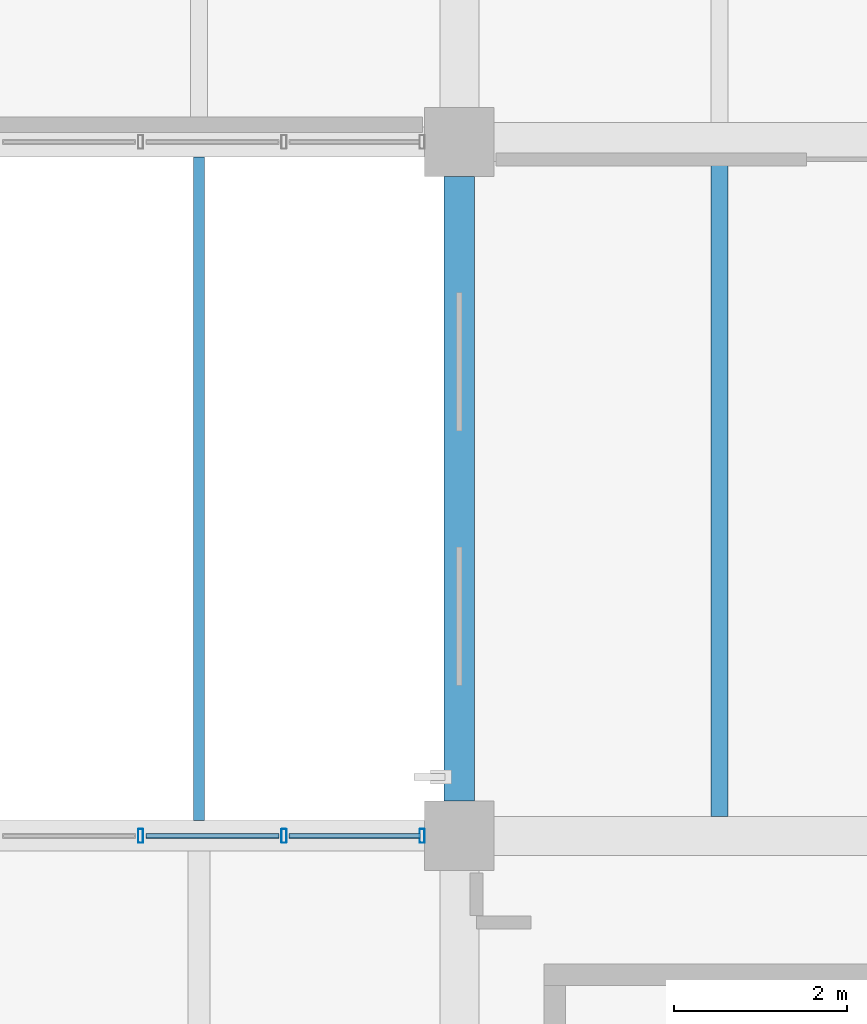
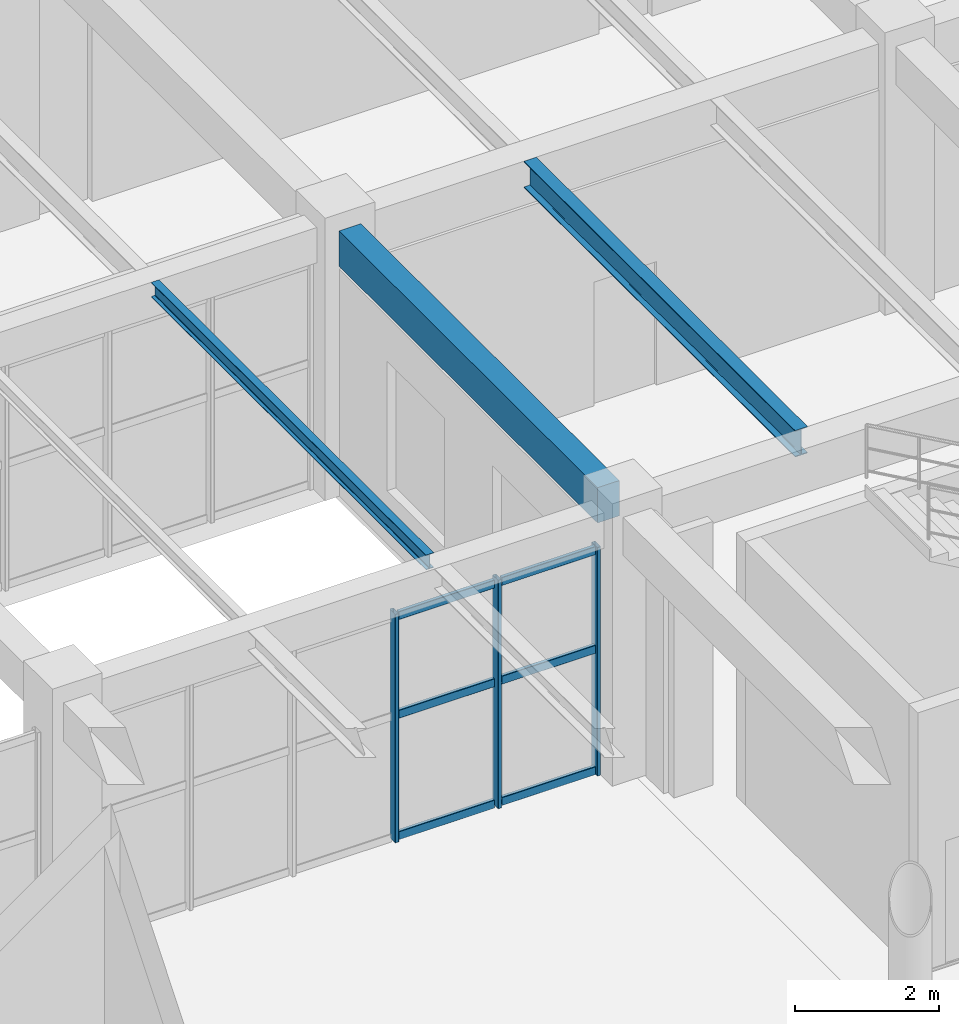
# One storey, part 77 of 178: 9 members, 3 beams, 1 element without a shape of its own.
"""IFC4 building model written with IfcOpenShell, lengths in metres."""

from ifc_helpers import new_model, si_unit, derived_unit, direction, frame, origin, origin_2d, place, context, subcontext, project, spatial, rectangle, hollow_rectangle, i_section, extrude, material, material_profile, profile_set, type_object, element, aggregate, save


model = new_model("IFC4")

# Units and contexts
model_context = context("Model", 3, precision=1e-05, world=origin(), true_north=direction((0.0, 1.0)))
body_context = subcontext(model_context, "Body", "Model", "MODEL_VIEW")
ifc_project = project(units=[si_unit("LENGTHUNIT", "METRE"), si_unit("AREAUNIT", "SQUARE_METRE"), si_unit("VOLUMEUNIT", "CUBIC_METRE"), si_unit("PLANEANGLEUNIT", "RADIAN"), si_unit("MASSUNIT", "GRAM", prefix="KILO"), derived_unit("THERMALTRANSMITTANCEUNIT", [(si_unit("MASSUNIT", "GRAM", prefix="KILO"), 1), (si_unit("TIMEUNIT", "SECOND"), -3), (si_unit("THERMODYNAMICTEMPERATUREUNIT", "KELVIN"), -1)])], contexts=[model_context])

# Site, building, storey
site_placement = place(None, origin())
site = spatial("IfcSite", under=ifc_project, at=site_placement, CompositionType="ELEMENT")
building_placement = place(site_placement, origin())
building = spatial("IfcBuilding", under=site, at=building_placement, Name="Zhenchuan Archway Interchange", CompositionType="ELEMENT")
storey_placement = place(building_placement, frame((0.0, 0.0, 5.39990234375)))
storey = spatial("IfcBuildingStorey", under=building, at=storey_placement, Name="L01", CompositionType="ELEMENT", Elevation=5.39990234375)

# Curtain wall, members
ifc_material_1 = material(Name="Anodised Aluminium", Category="aluminium")
curtain_wall_type = type_object("IfcCurtainWallType", Name="CW_UNIT_3", PredefinedType="NOTDEFINED", material=ifc_material_1)
curtain_wall_placement = place(storey_placement, origin())
curtain_wall = element("IfcCurtainWall", 1, at=curtain_wall_placement, inside=storey, type_object=curtain_wall_type, Name="Unitised curtain wall CW:L01:038", PredefinedType="NOTDEFINED")
ifc_material_profile_1 = material_profile(ifc_material_1, hollow_rectangle(XDim=0.06005859375, YDim=0.159912109375, WallThickness=0.00390625, InnerFilletRadius=0.00390625, OuterFilletRadius=0.008056640625, at=origin_2d()), Name="ALU 160x60x4")
ifc_profile_set_1 = profile_set([ifc_material_profile_1], Name="Anodised Aluminium")
member_type_1 = type_object("IfcMemberType", Name="CW_MUL_150", PredefinedType="MULLION", material=ifc_profile_set_1)
member_1_placement = place(storey_placement, frame((32.326416015625, 88.0, 0.0), z_axis=(0.0, 0.0, 1.0), x_axis=(1.0, 0.0, 0.0)))
member_1 = element("IfcMember", 2, at=member_1_placement, type_object=member_type_1, Name="CW:L01:038 mullion 3", PredefinedType="MULLION", context=body_context, shape_type="SweptSolid", body=[
    extrude(hollow_rectangle(XDim=0.06005859375, YDim=0.159912109375, WallThickness=0.00390625, InnerFilletRadius=0.00390625, OuterFilletRadius=0.008056640625, at=origin_2d()), origin(), (0.0, 0.0, 1.0), 3.880126953125),
])
member_2_placement = place(storey_placement, frame((33.979248046875, 88.0, 0.0), z_axis=(0.0, 0.0, 1.0), x_axis=(1.0, 0.0, 0.0)))
member_2 = element("IfcMember", 3, at=member_2_placement, type_object=member_type_1, Name="CW:L01:038 mullion 4", PredefinedType="MULLION", context=body_context, shape_type="SweptSolid", body=[
    extrude(hollow_rectangle(XDim=0.06005859375, YDim=0.159912109375, WallThickness=0.00390625, InnerFilletRadius=0.00390625, OuterFilletRadius=0.008056640625, at=origin_2d()), origin(), (0.0, 0.0, 1.0), 3.880126953125),
])
member_3_placement = place(storey_placement, frame((35.572021484375, 88.0, 0.0), z_axis=(0.0, 0.0, 1.0), x_axis=(1.0, 0.0, 0.0)))
member_3 = element("IfcMember", 4, at=member_3_placement, type_object=member_type_1, Name="CW:L01:038 mullion 5", PredefinedType="MULLION", context=body_context, shape_type="SweptSolid", body=[
    extrude(hollow_rectangle(XDim=0.06005859375, YDim=0.159912109375, WallThickness=0.00390625, InnerFilletRadius=0.00390625, OuterFilletRadius=0.008056640625, at=origin_2d()), origin(), (0.0, 0.0, 1.0), 3.880126953125),
])
ifc_material_profile_2 = material_profile(ifc_material_1, hollow_rectangle(XDim=0.06005859375, YDim=0.139892578125, WallThickness=0.00341796875, InnerFilletRadius=0.00341796875, OuterFilletRadius=0.007080078125, at=origin_2d()), Name="ALU 140x60x3.5")
ifc_profile_set_2 = profile_set([ifc_material_profile_2], Name="Anodised Aluminium")
member_type_2 = type_object("IfcMemberType", Name="CW_TRN_140", PredefinedType="USERDEFINED", material=ifc_profile_set_2)
member_4_placement = place(storey_placement, frame((32.386474609375, 88.0, 0.06005859375), z_axis=(1.0, 0.0, 0.0), x_axis=(0.0, 1.0, 0.0)))
member_4 = element("IfcMember", 5, at=member_4_placement, type_object=member_type_2, Name="CW:L01:038 transom 3-1", ObjectType="TRANSOM", PredefinedType="USERDEFINED", context=body_context, shape_type="SweptSolid", body=[
    extrude(hollow_rectangle(XDim=0.06005859375, YDim=0.139892578125, WallThickness=0.00341796875, InnerFilletRadius=0.00341796875, OuterFilletRadius=0.007080078125, at=origin_2d()), origin(), (0.0, 0.0, 1.0), 1.53271484375),
])
member_5_placement = place(storey_placement, frame((32.386474609375, 88.0, 2.123046875), z_axis=(1.0, 0.0, 0.0), x_axis=(0.0, 1.0, 0.0)))
member_5 = element("IfcMember", 6, at=member_5_placement, type_object=member_type_2, Name="CW:L01:038 transom 3-2", ObjectType="TRANSOM", PredefinedType="USERDEFINED", context=body_context, shape_type="SweptSolid", body=[
    extrude(hollow_rectangle(XDim=0.06005859375, YDim=0.139892578125, WallThickness=0.00341796875, InnerFilletRadius=0.00341796875, OuterFilletRadius=0.007080078125, at=origin_2d()), origin(), (0.0, 0.0, 1.0), 1.53271484375),
])
member_6_placement = place(storey_placement, frame((32.386474609375, 88.0, 3.800048828125), z_axis=(1.0, 0.0, 0.0), x_axis=(0.0, 1.0, 0.0)))
member_6 = element("IfcMember", 7, at=member_6_placement, type_object=member_type_2, Name="CW:L01:038 transom 3-3", ObjectType="TRANSOM", PredefinedType="USERDEFINED", context=body_context, shape_type="SweptSolid", body=[
    extrude(hollow_rectangle(XDim=0.06005859375, YDim=0.139892578125, WallThickness=0.00341796875, InnerFilletRadius=0.00341796875, OuterFilletRadius=0.007080078125, at=origin_2d()), origin(), (0.0, 0.0, 1.0), 1.53271484375),
])
member_7_placement = place(storey_placement, frame((34.039306640625, 88.0, 0.06005859375), z_axis=(1.0, 0.0, 0.0), x_axis=(0.0, 1.0, 0.0)))
member_7 = element("IfcMember", 8, at=member_7_placement, type_object=member_type_2, Name="CW:L01:038 transom 4-1", ObjectType="TRANSOM", PredefinedType="USERDEFINED", context=body_context, shape_type="SweptSolid", body=[
    extrude(hollow_rectangle(XDim=0.06005859375, YDim=0.139892578125, WallThickness=0.00341796875, InnerFilletRadius=0.00341796875, OuterFilletRadius=0.007080078125, at=origin_2d()), origin(), (0.0, 0.0, 1.0), 1.5126953125),
])
member_8_placement = place(storey_placement, frame((34.039306640625, 88.0, 2.123046875), z_axis=(1.0, 0.0, 0.0), x_axis=(0.0, 1.0, 0.0)))
member_8 = element("IfcMember", 9, at=member_8_placement, type_object=member_type_2, Name="CW:L01:038 transom 4-2", ObjectType="TRANSOM", PredefinedType="USERDEFINED", context=body_context, shape_type="SweptSolid", body=[
    extrude(hollow_rectangle(XDim=0.06005859375, YDim=0.139892578125, WallThickness=0.00341796875, InnerFilletRadius=0.00341796875, OuterFilletRadius=0.007080078125, at=origin_2d()), origin(), (0.0, 0.0, 1.0), 1.5126953125),
])
member_9_placement = place(storey_placement, frame((34.039306640625, 88.0, 3.800048828125), z_axis=(1.0, 0.0, 0.0), x_axis=(0.0, 1.0, 0.0)))
member_9 = element("IfcMember", 10, at=member_9_placement, type_object=member_type_2, Name="CW:L01:038 transom 4-3", ObjectType="TRANSOM", PredefinedType="USERDEFINED", context=body_context, shape_type="SweptSolid", body=[
    extrude(hollow_rectangle(XDim=0.06005859375, YDim=0.139892578125, WallThickness=0.00341796875, InnerFilletRadius=0.00341796875, OuterFilletRadius=0.007080078125, at=origin_2d()), origin(), (0.0, 0.0, 1.0), 1.5126953125),
])
aggregate(curtain_wall, [member_1, member_2, member_3, member_4, member_5, member_6, member_7, member_8, member_9])

# Beams
ifc_material_2 = material(Name="Steel Q355", Category="steel")
ifc_material_profile_3 = material_profile(ifc_material_2, i_section(OverallWidth=0.125, OverallDepth=0.25, WebThickness=0.006103515625, FlangeThickness=0.009033203125, FilletRadius=0.011962890625, at=origin_2d()), Name="HN 250x125")
ifc_profile_set_3 = profile_set([ifc_material_profile_3], Name="Steel Q355")
beam_type_1 = type_object("IfcBeamType", Name="JST_STL_HN250", PredefinedType="JOIST", material=ifc_profile_set_3)
beam_1_placement = place(storey_placement, frame((33.0, 88.175048828125, 4.385009765625), z_axis=(0.0, 1.0, 0.0), x_axis=(-1.0, 0.0, 0.0)))
element("IfcBeam", 11, at=beam_1_placement, inside=storey, type_object=beam_type_1, Name="Secondary joist 4-5/M-N #2 (L01)", PredefinedType="JOIST", context=body_context, shape_type="SweptSolid", body=[
    extrude(i_section(OverallWidth=0.125, OverallDepth=0.25, WebThickness=0.006103515625, FlangeThickness=0.009033203125, FilletRadius=0.011962890625, at=origin_2d()), origin(), (0.0, 0.0, 1.0), 7.64990234375),
])
ifc_material_profile_4 = material_profile(ifc_material_2, i_section(OverallWidth=0.199951171875, OverallDepth=0.449951171875, WebThickness=0.009033203125, FlangeThickness=0.013916015625, FilletRadius=0.01806640625, at=origin_2d()), Name="HN 450x200")
ifc_profile_set_4 = profile_set([ifc_material_profile_4], Name="Steel Q355")
beam_type_2 = type_object("IfcBeamType", Name="JST_STL_HN450", PredefinedType="JOIST", material=ifc_profile_set_4)
beam_2_placement = place(storey_placement, frame((39.0, 88.22509765625, 4.28515625), z_axis=(0.0, 1.0, 0.0), x_axis=(-1.0, 0.0, 0.0)))
element("IfcBeam", 12, at=beam_2_placement, inside=storey, type_object=beam_type_2, Name="Secondary joist 5-6/M-N #1 (L01)", PredefinedType="JOIST", context=body_context, shape_type="SweptSolid", body=[
    extrude(i_section(OverallWidth=0.199951171875, OverallDepth=0.449951171875, WebThickness=0.009033203125, FlangeThickness=0.013916015625, FilletRadius=0.01806640625, at=origin_2d()), origin(), (0.0, 0.0, 1.0), 7.5498046875),
])
ifc_material_3 = material(Name="Concrete C40", Category="concrete")
ifc_material_profile_5 = material_profile(ifc_material_3, rectangle(XDim=0.35009765625, YDim=0.60009765625, at=origin_2d()), Name="RC 350x600")
ifc_profile_set_5 = profile_set([ifc_material_profile_5], Name="Concrete C40")
beam_type_3 = type_object("IfcBeamType", Name="SP_RC_350x600", PredefinedType="SPANDREL", material=ifc_profile_set_5)
beam_3_placement = place(storey_placement, frame((36.0, 88.39990234375, 4.210205078125), z_axis=(0.0, 1.0, 0.0), x_axis=(-1.0, 0.0, 0.0)))
element("IfcBeam", 13, at=beam_3_placement, inside=storey, type_object=beam_type_3, Name="Beam 5:M-N (L01)", PredefinedType="SPANDREL", context=body_context, shape_type="SweptSolid", body=[
    extrude(rectangle(XDim=0.35009765625, YDim=0.60009765625, at=origin_2d()), origin(), (0.0, 0.0, 1.0), 7.2001953125),
])

save(model, "model.ifc")
